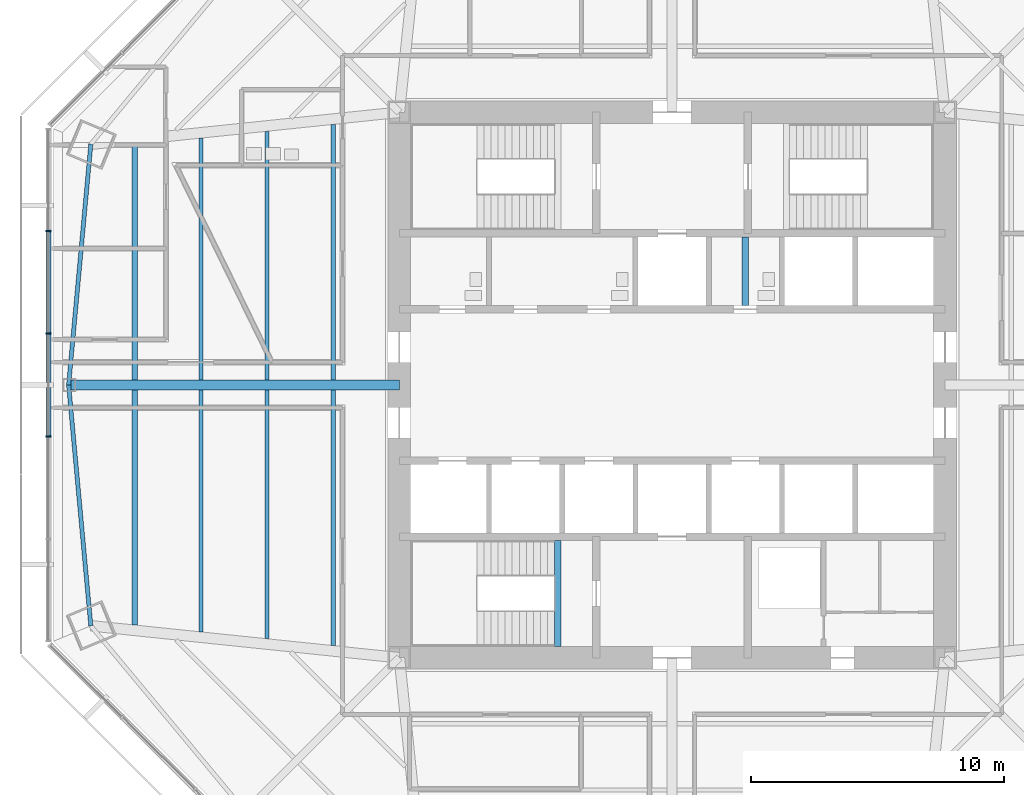
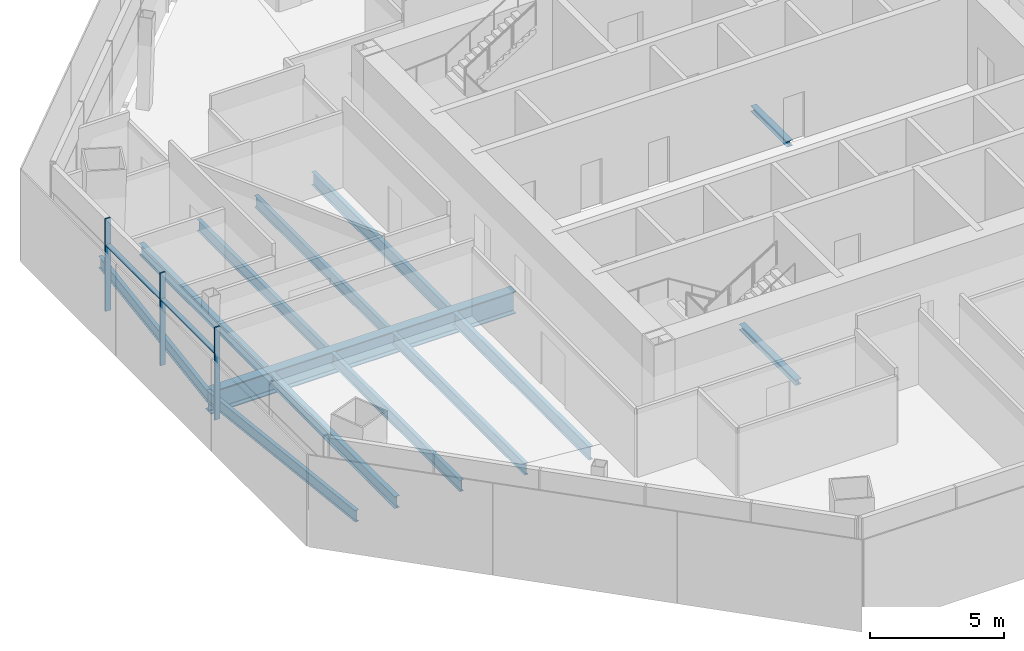
# One storey, part 3 of 14: 13 beams, 5 members, 1 element without a shape of its own.
"""IFC4 building model written with IfcOpenShell, lengths in metres."""

from ifc_helpers import new_model, si_unit, direction, frame, origin, origin_2d, place, context, subcontext, project, spatial, rectangle, i_section, extrude, source, transform, mapped, material, material_profile, profile_set, type_object, type_shapes, element, aggregate, save


model = new_model("IFC4")

# Units and contexts
model_context = context("Model", 3, precision=1e-05, world=origin(), true_north=direction((0.0, 1.0)))
body_context = subcontext(model_context, "Body", "Model", "MODEL_VIEW")
ifc_project = project(units=[si_unit("LENGTHUNIT", "METRE"), si_unit("AREAUNIT", "SQUARE_METRE"), si_unit("VOLUMEUNIT", "CUBIC_METRE"), si_unit("PLANEANGLEUNIT", "RADIAN"), si_unit("MASSUNIT", "GRAM", prefix="KILO")], contexts=[model_context])

# Site, building, storey
site_placement = place(None, origin())
site = spatial("IfcSite", under=ifc_project, at=site_placement, CompositionType="ELEMENT")
building_placement = place(site_placement, origin())
building = spatial("IfcBuilding", under=site, at=building_placement, Name="Mashrafa Tower", CompositionType="ELEMENT")
storey_placement = place(building_placement, frame((0.0, 0.0, 117.60009765625)))
storey = spatial("IfcBuildingStorey", under=building, at=storey_placement, Name="L26", CompositionType="ELEMENT", Elevation=117.60009765625)

# Beams
ifc_material_1 = material(Name="Steel ASTM A992", Category="steel")
ifc_material_profile_1 = material_profile(ifc_material_1, i_section(OverallWidth=0.1650390625, OverallDepth=0.52587890625, WebThickness=0.0087890625, FlangeThickness=0.011474609375, FilletRadius=0.0126953125, at=origin_2d()), Name="W21X44")
ifc_profile_set_1 = profile_set([ifc_material_profile_1], Name="Steel ASTM A992")
beam_type_1 = type_object("IfcBeamType", Name="Beam W21X44", PredefinedType="BEAM", material=ifc_profile_set_1)
for number, where, z_axis, x_axis, name in (
    (1, (-18.655517578125, -9.7744140625, -0.427978515625), (0.0, 1.0, 0.0), (-1.0, 0.0, 0.0), "Floor beam L26 004"),
    (2, (-18.655517578125, 0.20068359375, -0.427978515625), (0.0, 1.0, 0.0), (-1.0, 0.0, 0.0), "Floor beam L26 005"),
):
    element("IfcBeam", number, at=place(storey_placement, frame(where, z_axis=z_axis, x_axis=x_axis)), inside=storey, type_object=beam_type_1, Name=name, PredefinedType="BEAM", context=body_context, shape_type="SweptSolid", body=[
        extrude(i_section(OverallWidth=0.1650390625, OverallDepth=0.52587890625, WebThickness=0.0087890625, FlangeThickness=0.011474609375, FilletRadius=0.0126953125, at=origin_2d()), origin(), (0.0, 0.0, 1.0), 9.57373046875),
    ])
for number, where, z_axis, x_axis, name in (
    (3, (-16.037109375, -10.0458984375, -0.427978515625), (0.0, 1.0, 0.0), (-1.0, 0.0, 0.0), "Floor beam L26 006"),
    (4, (-16.037109375, 0.20068359375, -0.427978515625), (0.0, 1.0, 0.0), (-1.0, 0.0, 0.0), "Floor beam L26 007"),
):
    element("IfcBeam", number, at=place(storey_placement, frame(where, z_axis=z_axis, x_axis=x_axis)), inside=storey, type_object=beam_type_1, Name=name, PredefinedType="BEAM", context=body_context, shape_type="SweptSolid", body=[
        extrude(i_section(OverallWidth=0.1650390625, OverallDepth=0.52587890625, WebThickness=0.0087890625, FlangeThickness=0.011474609375, FilletRadius=0.0126953125, at=origin_2d()), origin(), (0.0, 0.0, 1.0), 9.84521484375),
    ])
for number, where, z_axis, x_axis, name in (
    (5, (-23.892578125, 0.0, -0.427978515625), (0.091731356973, -0.995783790864, 0.0), (0.995783790864, 0.091731356973, 0.0), "Spandrel beam L26 065"),
    (6, (-23.014404296875, 9.532958984375, -0.427978515625), (-0.091731356973, -0.995783790864, 0.0), (0.995783790864, -0.091731356973, 0.0), "Spandrel beam L26 067"),
):
    element("IfcBeam", number, at=place(storey_placement, frame(where, z_axis=z_axis, x_axis=x_axis)), inside=storey, type_object=beam_type_1, Name=name, PredefinedType="BEAM", context=body_context, shape_type="SweptSolid", body=[
        extrude(i_section(OverallWidth=0.1650390625, OverallDepth=0.52587890625, WebThickness=0.0087890625, FlangeThickness=0.011474609375, FilletRadius=0.0126953125, at=origin_2d()), origin(), (0.0, 0.0, 1.0), 9.5732421875),
    ])
ifc_material_2 = material(Name="Steel ASTM A992", Category="steel")
ifc_material_profile_2 = material_profile(ifc_material_2, i_section(OverallWidth=0.209228515625, OverallDepth=0.533447265625, WebThickness=0.01025390625, FlangeThickness=0.015625, FilletRadius=0.012939453125, at=origin_2d()), Name="W21X62")
ifc_profile_set_2 = profile_set([ifc_material_profile_2], Name="Steel ASTM A992")
beam_type_2 = type_object("IfcBeamType", Name="Beam W21X62", PredefinedType="BEAM", material=ifc_profile_set_2)
for number, where, z_axis, x_axis, name in (
    (7, (-21.274169921875, -9.502685546875, -0.431884765625), (0.0, 1.0, 0.0), (-1.0, 0.0, 0.0), "Floor beam L26 001"),
    (8, (-21.274169921875, 0.20068359375, -0.431884765625), (0.0, 1.0, 0.0), (-1.0, 0.0, 0.0), "Floor beam L26 002"),
):
    element("IfcBeam", number, at=place(storey_placement, frame(where, z_axis=z_axis, x_axis=x_axis)), inside=storey, type_object=beam_type_2, Name=name, PredefinedType="BEAM", context=body_context, shape_type="SweptSolid", body=[
        extrude(i_section(OverallWidth=0.209228515625, OverallDepth=0.533447265625, WebThickness=0.01025390625, FlangeThickness=0.015625, FilletRadius=0.012939453125, at=origin_2d()), origin(), (0.0, 0.0, 1.0), 9.302001953125),
    ])
ifc_material_3 = material(Name="Steel ASTM A992", Category="steel")
ifc_material_profile_3 = material_profile(ifc_material_3, i_section(OverallWidth=0.177978515625, OverallDepth=0.599365234375, WebThickness=0.010009765625, FlangeThickness=0.012939453125, FilletRadius=0.012939453125, at=origin_2d()), Name="W24X55")
ifc_profile_set_3 = profile_set([ifc_material_profile_3], Name="Steel ASTM A992")
beam_type_3 = type_object("IfcBeamType", Name="Beam W24X55", PredefinedType="BEAM", material=ifc_profile_set_3)
for number, where, z_axis, x_axis, name in (
    (9, (-13.41845703125, -10.317626953125, -0.46484375), (0.0, 1.0, 0.0), (-1.0, 0.0, 0.0), "Floor beam L26 011"),
    (10, (-13.41845703125, 0.20068359375, -0.46484375), (0.0, 1.0, 0.0), (-1.0, 0.0, 0.0), "Floor beam L26 012"),
):
    element("IfcBeam", number, at=place(storey_placement, frame(where, z_axis=z_axis, x_axis=x_axis)), inside=storey, type_object=beam_type_3, Name=name, PredefinedType="BEAM", context=body_context, shape_type="SweptSolid", body=[
        extrude(i_section(OverallWidth=0.177978515625, OverallDepth=0.599365234375, WebThickness=0.010009765625, FlangeThickness=0.012939453125, FilletRadius=0.012939453125, at=origin_2d()), origin(), (0.0, 0.0, 1.0), 10.116943359375),
    ])
ifc_material_4 = material(Name="Steel ASTM A992", Category="steel")
ifc_material_profile_4 = material_profile(ifc_material_4, i_section(OverallWidth=0.4013671875, OverallDepth=1.010986328125, WebThickness=0.023681640625, FlangeThickness=0.0419921875, FilletRadius=0.02001953125, at=origin_2d()), Name="W40X297")
ifc_profile_set_4 = profile_set([ifc_material_profile_4], Name="Steel ASTM A992")
beam_type_4 = type_object("IfcBeamType", Name="Beam W40X297", PredefinedType="BEAM", material=ifc_profile_set_4)
beam_1_placement = place(storey_placement, frame((-10.800048828125, 0.0, -0.670654296875), z_axis=(-1.0, 0.0, 0.0), x_axis=(0.0, -1.0, 0.0)))
element("IfcBeam", 11, at=beam_1_placement, inside=storey, type_object=beam_type_4, Name="Radial girder L26 052", PredefinedType="BEAM", context=body_context, shape_type="SweptSolid", body=[
    extrude(i_section(OverallWidth=0.4013671875, OverallDepth=1.010986328125, WebThickness=0.023681640625, FlangeThickness=0.0419921875, FilletRadius=0.02001953125, at=origin_2d()), origin(), (0.0, 0.0, 1.0), 13.092529296875),
])
ifc_material_5 = material(Name="Steel ASTM A992", Category="steel")
ifc_material_profile_5 = material_profile(ifc_material_5, i_section(OverallWidth=0.25390625, OverallDepth=0.25390625, WebThickness=0.008544921875, FlangeThickness=0.01416015625, FilletRadius=0.010009765625, at=origin_2d()), Name="W10X49")
ifc_profile_set_5 = profile_set([ifc_material_profile_5], Name="Steel ASTM A992")
beam_type_5 = type_object("IfcBeamType", Name="Hoistway beam W10X49", PredefinedType="BEAM", material=ifc_profile_set_5)
beam_2_placement = place(storey_placement, frame((2.89990234375, 3.14990234375, -0.2919921875), z_axis=(0.0, 1.0, 0.0), x_axis=(-1.0, 0.0, 0.0)))
element("IfcBeam", 12, at=beam_2_placement, inside=storey, type_object=beam_type_5, Name="Hoistway beam L26 06", PredefinedType="BEAM", context=body_context, shape_type="SweptSolid", body=[
    extrude(i_section(OverallWidth=0.25390625, OverallDepth=0.25390625, WebThickness=0.008544921875, FlangeThickness=0.01416015625, FilletRadius=0.010009765625, at=origin_2d()), origin(), (0.0, 0.0, 1.0), 2.7001953125),
])
beam_3_placement = place(storey_placement, frame((-4.530029296875, -10.35009765625, -0.3271484375), z_axis=(0.0, 1.0, 0.0), x_axis=(-1.0, 0.0, 0.0)))
element("IfcBeam", 13, at=beam_3_placement, inside=storey, type_object=beam_type_5, Name="Stair S3 landing beam L26", PredefinedType="BEAM", context=body_context, shape_type="SweptSolid", body=[
    extrude(i_section(OverallWidth=0.25390625, OverallDepth=0.25390625, WebThickness=0.008544921875, FlangeThickness=0.01416015625, FilletRadius=0.010009765625, at=origin_2d()), origin(), (0.0, 0.0, 1.0), 4.2001953125),
])

# Curtain wall, members
ifc_material_6 = material(Name="Unitised aluminium curtain wall", Category="aluminium")
curtain_wall_type = type_object("IfcCurtainWallType", Name="Office curtain wall, zone 2 CW-B 225 deep", PredefinedType="NOTDEFINED", material=ifc_material_6)
curtain_wall_placement = place(storey_placement, origin())
curtain_wall = element("IfcCurtainWall", 14, at=curtain_wall_placement, inside=storey, type_object=curtain_wall_type, Name="Office curtain wall, zone 2 L26 west", PredefinedType="NOTDEFINED")
ifc_material_7 = material(Name="Extruded aluminium mullion", Category="aluminium")
ifc_material_profile_6 = material_profile(ifc_material_7, rectangle(XDim=0.22509765625, YDim=0.06494140625, at=origin_2d()), Name="Mullion 65x225")
ifc_profile_set_6 = profile_set([ifc_material_profile_6], Name="Extruded aluminium mullion")
member_type_1 = type_object("IfcMemberType", Name="Mullion CW-B 65 x 225", PredefinedType="MULLION", material=ifc_profile_set_6)
shared_shape_1 = source(origin(), body_context, "Body", "SweptSolid", [
    extrude(rectangle(XDim=0.22509765625, YDim=0.06494140625, at=origin_2d()), origin(), (0.0, 0.0, 1.0), 4.199951171875),
])
type_shapes(member_type_1, [shared_shape_1])
member_1_placement = place(storey_placement, frame((-24.68798828125, 6.101806640625, 0.0), z_axis=(0.0, 0.0, 1.0), x_axis=(1.0, 0.0, 0.0)))
member_1 = element("IfcMember", 15, at=member_1_placement, type_object=member_type_1, Name="CW-B mullion 2", PredefinedType="MULLION", context=body_context, shape_type="MappedRepresentation", body=[
    mapped(shared_shape_1, transform((0.0, 0.0, 0.0))),
])
member_2_placement = place(storey_placement, frame((-24.68798828125, 2.033935546875, 0.0), z_axis=(0.0, 0.0, 1.0), x_axis=(1.0, 0.0, 0.0)))
member_2 = element("IfcMember", 16, at=member_2_placement, type_object=member_type_1, Name="CW-B mullion 3", PredefinedType="MULLION", context=body_context, shape_type="MappedRepresentation", body=[
    mapped(shared_shape_1, transform((0.0, 0.0, 0.0))),
])
member_3_placement = place(storey_placement, frame((-24.68798828125, -2.033935546875, 0.0), z_axis=(0.0, 0.0, 1.0), x_axis=(1.0, 0.0, 0.0)))
member_3 = element("IfcMember", 17, at=member_3_placement, type_object=member_type_1, Name="CW-B mullion 4", PredefinedType="MULLION", context=body_context, shape_type="MappedRepresentation", body=[
    mapped(shared_shape_1, transform((0.0, 0.0, 0.0))),
])
ifc_material_8 = material(Name="Extruded aluminium transom", Category="aluminium")
ifc_material_profile_7 = material_profile(ifc_material_8, rectangle(XDim=0.179931640625, YDim=0.080078125, at=origin_2d()), Name="Transom 80x180")
ifc_profile_set_7 = profile_set([ifc_material_profile_7], Name="Extruded aluminium transom")
member_type_2 = type_object("IfcMemberType", Name="Transom CW-B 80 x 180", PredefinedType="MULLION", material=ifc_profile_set_7)
shared_shape_2 = source(origin(), body_context, "Body", "SweptSolid", [
    extrude(rectangle(XDim=0.179931640625, YDim=0.080078125, at=origin_2d()), origin(), (0.0, 0.0, 1.0), 4.002685546875),
])
member_4_placement = place(storey_placement, frame((-24.68798828125, 6.069091796875, 3.0), z_axis=(0.0, -1.0, 0.0), x_axis=(1.0, 0.0, 0.0)))
member_4 = element("IfcMember", 18, at=member_4_placement, type_object=member_type_2, Name="CW-B transom 2", PredefinedType="MULLION", context=body_context, shape_type="MappedRepresentation", body=[
    mapped(shared_shape_2, transform((0.0, 0.0, 0.0))),
])
shared_shape_3 = source(origin(), body_context, "Body", "SweptSolid", [
    extrude(rectangle(XDim=0.179931640625, YDim=0.080078125, at=origin_2d()), origin(), (0.0, 0.0, 1.0), 4.0029296875),
])
type_shapes(member_type_2, [shared_shape_2, shared_shape_3])
member_5_placement = place(storey_placement, frame((-24.68798828125, 2.00146484375, 3.0), z_axis=(0.0, -1.0, 0.0), x_axis=(1.0, 0.0, 0.0)))
member_5 = element("IfcMember", 19, at=member_5_placement, type_object=member_type_2, Name="CW-B transom 3", PredefinedType="MULLION", context=body_context, shape_type="MappedRepresentation", body=[
    mapped(shared_shape_3, transform((0.0, 0.0, 0.0))),
])
aggregate(curtain_wall, [member_1, member_2, member_3, member_4, member_5])

save(model, "model.ifc")
